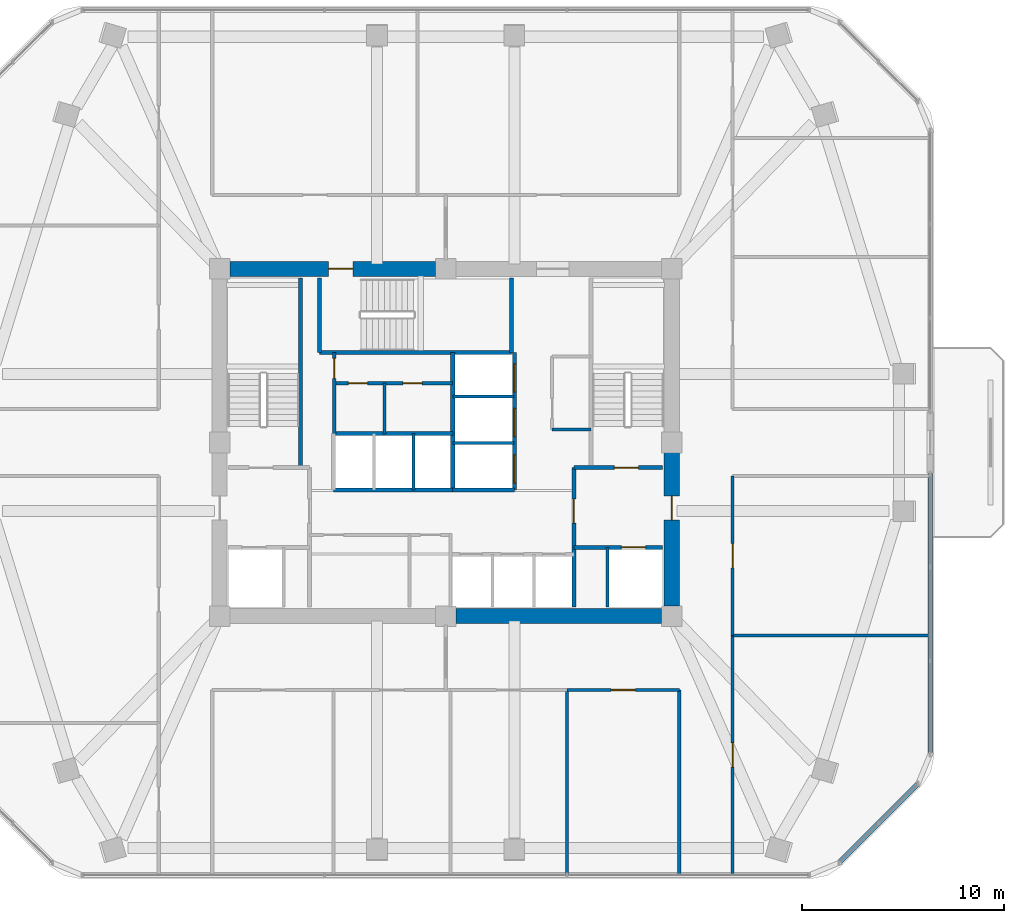
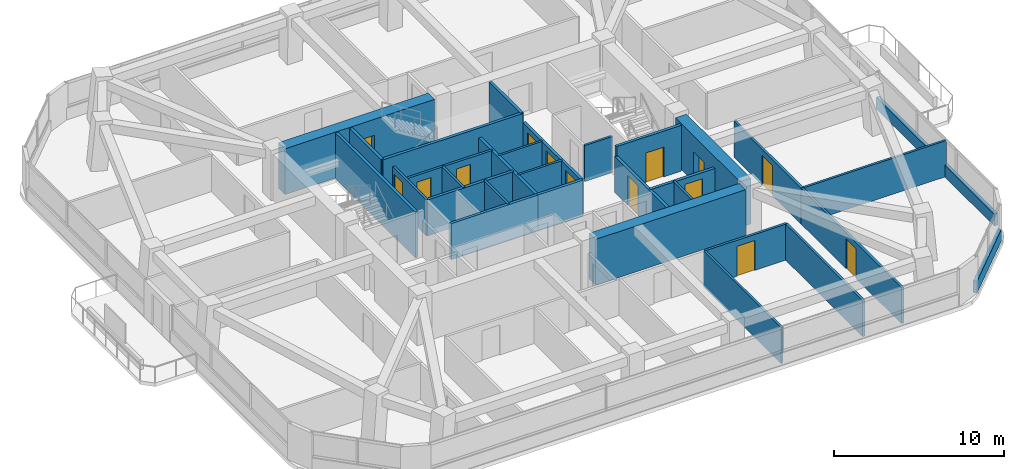
# One storey, part 10 of 14: 31 walls, 14 doors, 14 openings.
"""IFC4 building model written with IfcOpenShell, lengths in metres."""

from ifc_helpers import new_model, si_unit, derived_unit, direction, frame, frame_2d, origin, place, context, subcontext, project, spatial, rectangle, extrude, material, layer, layer_set, type_object, element, fill, save


model = new_model("IFC4")

# Units and contexts
model_context = context("Model", 3, precision=1e-05, world=origin(), true_north=direction((0.0, 1.0)))
body_context = subcontext(model_context, "Body", "Model", "MODEL_VIEW")
ifc_project = project(units=[si_unit("LENGTHUNIT", "METRE"), si_unit("AREAUNIT", "SQUARE_METRE"), si_unit("VOLUMEUNIT", "CUBIC_METRE"), si_unit("PLANEANGLEUNIT", "RADIAN"), si_unit("MASSUNIT", "GRAM", prefix="KILO"), derived_unit("THERMALTRANSMITTANCEUNIT", [(si_unit("POWERUNIT", "WATT"), 1), (si_unit("LENGTHUNIT", "METRE"), -2), (si_unit("THERMODYNAMICTEMPERATUREUNIT", "KELVIN"), -1)])], contexts=[model_context])

# Site, building, storey
site_placement = place(None, origin())
site = spatial("IfcSite", under=ifc_project, at=site_placement, CompositionType="ELEMENT")
building_placement = place(site_placement, origin())
building = spatial("IfcBuilding", under=site, at=building_placement, Name="Koralith Skygarden Medical Center", CompositionType="ELEMENT")
storey_placement = place(building_placement, frame((0.0, 0.0, 120.780029296875)))
storey = spatial("IfcBuildingStorey", under=building, at=storey_placement, Name="L31", CompositionType="ELEMENT", Elevation=120.780029296875)

# Walls
ifc_material_1 = material(Name="Gypsum Board Partition")
ifc_layer_1 = layer(ifc_material_1, 0.14990234375)
ifc_layer_set_1 = layer_set([ifc_layer_1], Name="Gypsum Board Partition")
wall_type_1 = type_object("IfcWallType", Name="Clinical Acoustic Partition 150", PredefinedType="PARTITIONING", material=ifc_layer_set_1)
wall_1_placement = place(storey_placement, frame((42.27001953125, 26.5400390625, 0.0), z_axis=(0.0, 0.0, 1.0), x_axis=(1.0, 0.0, 0.0)))
element("IfcWall", 1, at=wall_1_placement, inside=storey, type_object=wall_type_1, Name="L31 Clinical Acoustic Partition 150 W-CORE-L31-ESUB-S", PredefinedType="PARTITIONING", context=body_context, shape_type="SweptSolid", body=[
    extrude(rectangle(XDim=1.929931640625, YDim=0.14990234375, at=frame_2d((0.96484375, 0.0))), origin(), (0.0, 0.0, 1.0), 2.590087890625),
])
wall_2_placement = place(storey_placement, frame((33.97998046875, 26.320068359375, 0.0), z_axis=(0.0, 0.0, 1.0), x_axis=(0.0, 1.0, 0.0)))
element("IfcWall", 2, at=wall_2_placement, inside=storey, type_object=wall_type_1, Name="L31 Clinical Acoustic Partition 150 W-CORE-L31-FLEX-V3A", PredefinedType="PARTITIONING", context=body_context, shape_type="SweptSolid", body=[
    extrude(rectangle(XDim=2.52001953125, YDim=0.14990234375, at=frame_2d((1.260009765625, 0.0))), origin(), (0.0, 0.0, 1.0), 2.590087890625),
])
wall_3_placement = place(storey_placement, frame((43.010986328125, 13.639892578125, 0.0), z_axis=(0.0, 0.0, 1.0), x_axis=(0.0, -1.0, 0.0)))
element("IfcWall", 3, at=wall_3_placement, inside=storey, type_object=wall_type_1, Name="L31 Clinical Acoustic Partition 150 W-PART-L31-S-03", PredefinedType="PARTITIONING", context=body_context, shape_type="SweptSolid", body=[
    extrude(rectangle(XDim=9.143798828125, YDim=0.14990234375, at=frame_2d((4.57177734375, 0.0))), origin(), (0.0, 0.0, 1.0), 2.590087890625),
])
wall_4_placement = place(storey_placement, frame((51.2099609375, 16.342041015625, 0.0), z_axis=(0.0, 0.0, 1.0), x_axis=(1.0, 0.0, 0.0)))
element("IfcWall", 4, at=wall_4_placement, inside=storey, type_object=wall_type_1, Name="L31 Clinical Acoustic Partition 150 W-PART-L31-ES-01", PredefinedType="PARTITIONING", context=body_context, shape_type="SweptSolid", body=[
    extrude(rectangle(XDim=9.77001953125, YDim=0.14990234375, at=frame_2d((4.885009765625, 0.0))), origin(), (0.0, 0.0, 1.0), 2.590087890625),
])
ifc_layer_2 = layer(ifc_material_1, 0.1650390625)
ifc_layer_set_2 = layer_set([ifc_layer_2], Name="Gypsum Board Partition")
wall_type_2 = type_object("IfcWallType", Name="Clinical Corridor Partition 165", PredefinedType="PARTITIONING", material=ifc_layer_set_2)
wall_5_placement = place(storey_placement, frame((48.570068359375, 4.49609375, 0.0), z_axis=(0.0, 0.0, 1.0), x_axis=(0.0, 1.0, 0.0)))
element("IfcWall", 5, at=wall_5_placement, inside=storey, type_object=wall_type_2, Name="L31 Clinical Corridor Partition 165 W-HCOR-L31-SE", PredefinedType="PARTITIONING", context=body_context, shape_type="SweptSolid", body=[
    extrude(rectangle(XDim=9.143798828125, YDim=0.1650390625, at=frame_2d((4.57177734375, 0.0))), origin(), (0.0, 0.0, 1.0), 2.590087890625),
])

# Wall, opening, door
wall_6_placement = place(storey_placement, frame((43.010986328125, 13.639892578125, 0.0), z_axis=(0.0, 0.0, 1.0), x_axis=(1.0, 0.0, 0.0)))
wall_6 = element("IfcWall", 6, at=wall_6_placement, inside=storey, type_object=wall_type_2, Name="L31 Clinical Corridor Partition 165 W-CORR-L31-S-04", PredefinedType="PARTITIONING", context=body_context, shape_type="SweptSolid", body=[
    extrude(rectangle(XDim=5.55908203125, YDim=0.1650390625, at=frame_2d((2.779541015625, 0.0))), origin(), (0.0, 0.0, 1.0), 2.590087890625),
])
opening_1_placement = place(wall_6_placement, frame((2.178955078125, 0.0, 0.0)))
opening_1 = element("IfcOpeningElement", 7, at=opening_1_placement, cuts=wall_6, Name="Opening D-CLN", PredefinedType="OPENING", context=body_context, shape_type="SweptSolid", body=[
    extrude(rectangle(XDim=1.199951171875, YDim=2.14990234375, at=frame_2d((0.60009765625, 1.074951171875))), frame((0.0, 0.092529296875, 0.0), z_axis=(0.0, -1.0, 0.0), x_axis=(1.0, 0.0, 0.0)), (0.0, 0.0, 1.0), 0.18505859375),
])
ifc_material_2 = material(Name="Aluminium 6063-T6", Category="aluminium")
door_type_1 = type_object("IfcDoorType", Name="Clinical Corridor Door D-CLN 1200", OperationType="NOTDEFINED", PredefinedType="DOOR", material=ifc_material_2)
door_1_placement = place(opening_1_placement, frame((1.199951171875, 0.0, 0.0), z_axis=(0.0, 0.0, 1.0), x_axis=(-1.0, 0.0, 0.0)))
door_1 = element("IfcDoor", 8, at=door_1_placement, inside=storey, type_object=door_type_1, Name="L31 Resident Huddle Seminar Room 06 Door", OperationType="SINGLE_SWING_LEFT", OverallHeight=2.14990234375, OverallWidth=1.199951171875, PredefinedType="DOOR", context=body_context, shape_type="SweptSolid", body=[
    extrude(rectangle(XDim=1.199951171875, YDim=2.14990234375, at=frame_2d((0.60009765625, 1.074951171875))), frame((0.0, 0.02490234375, 0.0), z_axis=(0.0, -1.0, 0.0), x_axis=(1.0, 0.0, 0.0)), (0.0, 0.0, 1.0), 0.050048828125),
])
fill(opening_1, door_1)

wall_7_placement = place(storey_placement, frame((51.2099609375, 4.49609375, 0.0), z_axis=(0.0, 0.0, 1.0), x_axis=(0.0, 1.0, 0.0)))
wall_7 = element("IfcWall", 9, at=wall_7_placement, inside=storey, type_object=wall_type_2, Name="L31 Clinical Corridor Partition 165 W-CORR-L31-ES-01", PredefinedType="PARTITIONING", context=body_context, shape_type="SweptSolid", body=[
    extrude(rectangle(XDim=11.845947265625, YDim=0.1650390625, at=frame_2d((5.9228515625, 0.0))), origin(), (0.0, 0.0, 1.0), 2.590087890625),
])
opening_2_placement = place(wall_7_placement, frame((5.322998046875, 0.0, 0.0)))
opening_2 = element("IfcOpeningElement", 10, at=opening_2_placement, cuts=wall_7, Name="Opening D-CLN", PredefinedType="OPENING", context=body_context, shape_type="SweptSolid", body=[
    extrude(rectangle(XDim=1.199951171875, YDim=2.14990234375, at=frame_2d((0.60009765625, 1.074951171875))), frame((0.0, 0.092529296875, 0.0), z_axis=(0.0, -1.0, 0.0), x_axis=(1.0, 0.0, 0.0)), (0.0, 0.0, 1.0), 0.18505859375),
])
door_2_placement = place(opening_2_placement, origin())
door_2 = element("IfcDoor", 11, at=door_2_placement, inside=storey, type_object=door_type_1, Name="L31 Biomedical Cart Store 11 Door", OperationType="SINGLE_SWING_RIGHT", OverallHeight=2.14990234375, OverallWidth=1.199951171875, PredefinedType="DOOR", context=body_context, shape_type="SweptSolid", body=[
    extrude(rectangle(XDim=1.199951171875, YDim=2.14990234375, at=frame_2d((0.60009765625, 1.074951171875))), frame((0.0, 0.02490234375, 0.0), z_axis=(0.0, -1.0, 0.0), x_axis=(1.0, 0.0, 0.0)), (0.0, 0.0, 1.0), 0.050048828125),
])
fill(opening_2, door_2)

wall_8_placement = place(storey_placement, frame((51.2099609375, 16.342041015625, 0.0), z_axis=(0.0, 0.0, 1.0), x_axis=(0.0, 1.0, 0.0)))
wall_8 = element("IfcWall", 12, at=wall_8_placement, inside=storey, type_object=wall_type_2, Name="L31 Clinical Corridor Partition 165 W-CORR-L31-ES-02", PredefinedType="PARTITIONING", context=body_context, shape_type="SweptSolid", body=[
    extrude(rectangle(XDim=7.89794921875, YDim=0.1650390625, at=frame_2d((3.948974609375, 0.0))), origin(), (0.0, 0.0, 1.0), 2.590087890625),
])
opening_3_placement = place(wall_8_placement, frame((3.34912109375, 0.0, 0.0)))
opening_3 = element("IfcOpeningElement", 13, at=opening_3_placement, cuts=wall_8, Name="Opening D-CLN", PredefinedType="OPENING", context=body_context, shape_type="SweptSolid", body=[
    extrude(rectangle(XDim=1.199951171875, YDim=2.14990234375, at=frame_2d((0.60009765625, 1.074951171875))), frame((0.0, 0.092529296875, 0.0), z_axis=(0.0, -1.0, 0.0), x_axis=(1.0, 0.0, 0.0)), (0.0, 0.0, 1.0), 0.18505859375),
])
door_3_placement = place(opening_3_placement, origin())
door_3 = element("IfcDoor", 14, at=door_3_placement, inside=storey, type_object=door_type_1, Name="L31 Visitor Waiting Lounge 12 Door", OperationType="SINGLE_SWING_LEFT", OverallHeight=2.14990234375, OverallWidth=1.199951171875, PredefinedType="DOOR", context=body_context, shape_type="SweptSolid", body=[
    extrude(rectangle(XDim=1.199951171875, YDim=2.14990234375, at=frame_2d((0.60009765625, 1.074951171875))), frame((0.0, 0.02490234375, 0.0), z_axis=(0.0, -1.0, 0.0), x_axis=(1.0, 0.0, 0.0)), (0.0, 0.0, 1.0), 0.050048828125),
])
fill(opening_3, door_3)

ifc_layer_3 = layer(ifc_material_1, 0.199951171875)
ifc_layer_set_3 = layer_set([ifc_layer_3], Name="Gypsum Board Partition")
wall_type_3 = type_object("IfcWallType", Name="Fire Shaft Wall 200", PredefinedType="SOLIDWALL", material=ifc_layer_set_3)
wall_9_placement = place(storey_placement, frame((43.35009765625, 20.699951171875, 0.0), z_axis=(0.0, 0.0, 1.0), x_axis=(1.0, 0.0, 0.0)))
wall_9 = element("IfcWall", 15, at=wall_9_placement, inside=storey, type_object=wall_type_3, Name="L31 Fire Shaft Wall 200 W-CORE-L31-FF2-N", PredefinedType="SOLIDWALL", context=body_context, shape_type="SweptSolid", body=[
    extrude(rectangle(XDim=4.39990234375, YDim=0.199951171875, at=frame_2d((2.199951171875, 0.0))), origin(), (0.0, 0.0, 1.0), 2.590087890625),
])
opening_4_placement = place(wall_9_placement, frame((2.35009765625, 0.0, 0.0)))
opening_4 = element("IfcOpeningElement", 16, at=opening_4_placement, cuts=wall_9, Name="Opening LD-FF", PredefinedType="OPENING", context=body_context, shape_type="SweptSolid", body=[
    extrude(rectangle(XDim=1.199951171875, YDim=2.14990234375, at=frame_2d((0.60009765625, 1.074951171875))), frame((0.0, 0.10986328125, 0.0), z_axis=(0.0, -1.0, 0.0), x_axis=(1.0, 0.0, 0.0)), (0.0, 0.0, 1.0), 0.219970703125),
])
ifc_material_3 = material(Name="Steel ASTM A500 Grade C", Category="steel")
door_type_2 = type_object("IfcDoorType", Name="Fire Lift Sliding Landing Door LD-FF 1200", OperationType="NOTDEFINED", PredefinedType="DOOR", material=ifc_material_3)
door_4_placement = place(opening_4_placement, origin())
door_4 = element("IfcDoor", 17, at=door_4_placement, inside=storey, type_object=door_type_2, Name="L31 Fire Service Elevator FF2 Landing Door", OperationType="SLIDING_TO_RIGHT", OverallHeight=2.14990234375, OverallWidth=1.199951171875, PredefinedType="DOOR", context=body_context, shape_type="SweptSolid", body=[
    extrude(rectangle(XDim=1.199951171875, YDim=2.14990234375, at=frame_2d((0.60009765625, 1.074951171875))), frame((0.0, 0.02490234375, 0.0), z_axis=(0.0, -1.0, 0.0), x_axis=(1.0, 0.0, 0.0)), (0.0, 0.0, 1.0), 0.050048828125),
])
fill(opening_4, door_4)

wall_10_placement = place(storey_placement, frame((43.35009765625, 17.75, 0.0), z_axis=(0.0, 0.0, 1.0), x_axis=(0.0, 1.0, 0.0)))
wall_10 = element("IfcWall", 18, at=wall_10_placement, inside=storey, type_object=wall_type_3, Name="L31 Fire Shaft Wall 200 W-CORE-L31-FSAEE-W", PredefinedType="SOLIDWALL", context=body_context, shape_type="SweptSolid", body=[
    extrude(rectangle(XDim=6.89990234375, YDim=0.199951171875, at=frame_2d((3.449951171875, 0.0))), origin(), (0.0, 0.0, 1.0), 2.590087890625),
])
opening_5_placement = place(wall_10_placement, frame((4.14990234375, 0.0, 0.0)))
opening_5 = element("IfcOpeningElement", 19, at=opening_5_placement, cuts=wall_10, Name="Opening D-ST60", PredefinedType="OPENING", context=body_context, shape_type="SweptSolid", body=[
    extrude(rectangle(XDim=1.199951171875, YDim=2.14990234375, at=frame_2d((0.60009765625, 1.074951171875))), frame((0.0, 0.10986328125, 0.0), z_axis=(0.0, -1.0, 0.0), x_axis=(1.0, 0.0, 0.0)), (0.0, 0.0, 1.0), 0.219970703125),
])
door_type_3 = type_object("IfcDoorType", Name="Smokeproof Stair Fire Door FD60S 1200", OperationType="NOTDEFINED", PredefinedType="DOOR", material=ifc_material_3)
door_5_placement = place(opening_5_placement, frame((1.199951171875, 0.0, 0.0), z_axis=(0.0, 0.0, 1.0), x_axis=(-1.0, 0.0, 0.0)))
door_5 = element("IfcDoor", 20, at=door_5_placement, inside=storey, type_object=door_type_3, Name="L31 East Firefighting Lobby Inner Fire Door", OperationType="SINGLE_SWING_RIGHT", OverallHeight=2.14990234375, OverallWidth=1.199951171875, PredefinedType="DOOR", context=body_context, shape_type="SweptSolid", body=[
    extrude(rectangle(XDim=1.199951171875, YDim=2.14990234375, at=frame_2d((0.60009765625, 1.074951171875))), frame((0.0, 0.02490234375, 0.0), z_axis=(0.0, -1.0, 0.0), x_axis=(1.0, 0.0, 0.0)), (0.0, 0.0, 1.0), 0.050048828125),
])
fill(opening_5, door_5)

# Walls
for number, where, z_axis, x_axis, name in (
    (21, (31.449951171875, 23.5400390625, 0.0), (0.0, 0.0, 1.0), (1.0, 0.0, 0.0), "L31 Fire Shaft Wall 200 W-CORE-L31-PH-S"),
    (22, (31.449951171875, 26.35009765625, 0.0), (0.0, 0.0, 1.0), (1.0, 0.0, 0.0), "L31 Fire Shaft Wall 200 W-CORE-L31-PH-N"),
):
    element("IfcWall", number, at=place(storey_placement, frame(where, z_axis=z_axis, x_axis=x_axis)), inside=storey, type_object=wall_type_3, Name=name, PredefinedType="SOLIDWALL", context=body_context, shape_type="SweptSolid", body=[
        extrude(rectangle(XDim=5.900146484375, YDim=0.199951171875, at=frame_2d((2.9501953125, 0.0))), origin(), (0.0, 0.0, 1.0), 2.590087890625),
    ])
wall_11_placement = place(storey_placement, frame((37.35009765625, 23.5400390625, 0.0), z_axis=(0.0, 0.0, 1.0), x_axis=(0.0, 1.0, 0.0)))
element("IfcWall", 23, at=wall_11_placement, inside=storey, type_object=wall_type_3, Name="L31 Fire Shaft Wall 200 W-CORE-L31-SV-W", PredefinedType="SOLIDWALL", context=body_context, shape_type="SweptSolid", body=[
    extrude(rectangle(XDim=6.820068359375, YDim=0.199951171875, at=frame_2d((3.41015625, 0.0))), origin(), (0.0, 0.0, 1.0), 2.590087890625),
])
wall_12_placement = place(storey_placement, frame((37.35009765625, 23.5400390625, 0.0), z_axis=(0.0, 0.0, 1.0), x_axis=(1.0, 0.0, 0.0)))
element("IfcWall", 24, at=wall_12_placement, inside=storey, type_object=wall_type_3, Name="L31 Fire Shaft Wall 200 W-CORE-L31-SV-S", PredefinedType="SOLIDWALL", context=body_context, shape_type="SweptSolid", body=[
    extrude(rectangle(XDim=3.0498046875, YDim=0.199951171875, at=frame_2d((1.52490234375, 0.0))), origin(), (0.0, 0.0, 1.0), 2.590087890625),
])

# Wall, openings, doors
wall_13_placement = place(storey_placement, frame((40.39990234375, 23.5400390625, 0.0), z_axis=(0.0, 0.0, 1.0), x_axis=(0.0, 1.0, 0.0)))
wall_13 = element("IfcWall", 25, at=wall_13_placement, inside=storey, type_object=wall_type_3, Name="L31 Fire Shaft Wall 200 W-CORE-L31-SV-E", PredefinedType="SOLIDWALL", context=body_context, shape_type="SweptSolid", body=[
    extrude(rectangle(XDim=6.820068359375, YDim=0.199951171875, at=frame_2d((3.41015625, 0.0))), origin(), (0.0, 0.0, 1.0), 2.590087890625),
])
opening_6_placement = place(wall_13_placement, frame((0.35009765625, 0.0, 0.0)))
opening_6 = element("IfcOpeningElement", 26, at=opening_6_placement, cuts=wall_13, Name="Opening LD-SV", PredefinedType="OPENING", context=body_context, shape_type="SweptSolid", body=[
    extrude(rectangle(XDim=1.39990234375, YDim=2.199951171875, at=frame_2d((0.699951171875, 1.10009765625))), frame((0.0, 0.10986328125, 0.0), z_axis=(0.0, -1.0, 0.0), x_axis=(1.0, 0.0, 0.0)), (0.0, 0.0, 1.0), 0.219970703125),
])
opening_7_placement = place(wall_13_placement, frame((2.64990234375, 0.0, 0.0)))
opening_7 = element("IfcOpeningElement", 27, at=opening_7_placement, cuts=wall_13, Name="Opening LD-SV", PredefinedType="OPENING", context=body_context, shape_type="SweptSolid", body=[
    extrude(rectangle(XDim=1.39990234375, YDim=2.199951171875, at=frame_2d((0.699951171875, 1.10009765625))), frame((0.0, 0.10986328125, 0.0), z_axis=(0.0, -1.0, 0.0), x_axis=(1.0, 0.0, 0.0)), (0.0, 0.0, 1.0), 0.219970703125),
])
opening_8_placement = place(wall_13_placement, frame((4.85009765625, 0.0, 0.0)))
opening_8 = element("IfcOpeningElement", 28, at=opening_8_placement, cuts=wall_13, Name="Opening LD-SV", PredefinedType="OPENING", context=body_context, shape_type="SweptSolid", body=[
    extrude(rectangle(XDim=1.39990234375, YDim=2.199951171875, at=frame_2d((0.699951171875, 1.10009765625))), frame((0.0, 0.10986328125, 0.0), z_axis=(0.0, -1.0, 0.0), x_axis=(1.0, 0.0, 0.0)), (0.0, 0.0, 1.0), 0.219970703125),
])
door_type_4 = type_object("IfcDoorType", Name="Bed Lift Sliding Landing Door LD-SV 1400", OperationType="NOTDEFINED", PredefinedType="DOOR", material=ifc_material_3)
door_6_placement = place(opening_6_placement, origin())
door_6 = element("IfcDoor", 29, at=door_6_placement, inside=storey, type_object=door_type_4, Name="L31 Bed Elevator BD1 Landing Door", OperationType="SLIDING_TO_LEFT", OverallHeight=2.199951171875, OverallWidth=1.39990234375, PredefinedType="DOOR", context=body_context, shape_type="SweptSolid", body=[
    extrude(rectangle(XDim=1.39990234375, YDim=2.199951171875, at=frame_2d((0.699951171875, 1.10009765625))), frame((0.0, 0.02490234375, 0.0), z_axis=(0.0, -1.0, 0.0), x_axis=(1.0, 0.0, 0.0)), (0.0, 0.0, 1.0), 0.050048828125),
])
fill(opening_6, door_6)
door_7_placement = place(opening_7_placement, origin())
door_7 = element("IfcDoor", 30, at=door_7_placement, inside=storey, type_object=door_type_4, Name="L31 Service Elevator BD2 Landing Door", OperationType="SLIDING_TO_LEFT", OverallHeight=2.199951171875, OverallWidth=1.39990234375, PredefinedType="DOOR", context=body_context, shape_type="SweptSolid", body=[
    extrude(rectangle(XDim=1.39990234375, YDim=2.199951171875, at=frame_2d((0.699951171875, 1.10009765625))), frame((0.0, 0.02490234375, 0.0), z_axis=(0.0, -1.0, 0.0), x_axis=(1.0, 0.0, 0.0)), (0.0, 0.0, 1.0), 0.050048828125),
])
fill(opening_7, door_7)
door_8_placement = place(opening_8_placement, origin())
door_8 = element("IfcDoor", 31, at=door_8_placement, inside=storey, type_object=door_type_4, Name="L31 Trauma Elevator TR1 Landing Door", OperationType="SLIDING_TO_RIGHT", OverallHeight=2.199951171875, OverallWidth=1.39990234375, PredefinedType="DOOR", context=body_context, shape_type="SweptSolid", body=[
    extrude(rectangle(XDim=1.39990234375, YDim=2.199951171875, at=frame_2d((0.699951171875, 1.10009765625))), frame((0.0, 0.02490234375, 0.0), z_axis=(0.0, -1.0, 0.0), x_axis=(1.0, 0.0, 0.0)), (0.0, 0.0, 1.0), 0.050048828125),
])
fill(opening_8, door_8)

# Walls
ifc_material_4 = material(Name="Warm Oolitic Limestone Cladding", Category="masonry")
ifc_layer_4 = layer(ifc_material_4, 0.239990234375)
ifc_layer_set_4 = layer_set([ifc_layer_4], Name="Warm Oolitic Limestone Cladding")
wall_type_4 = type_object("IfcWallType", Name="Limestone Spandrel Sill Backup Wall 240", PredefinedType="SOLIDWALL", material=ifc_layer_set_4)
wall_14_placement = place(storey_placement, frame((56.47509765625, 5.077880859375, 0.0), z_axis=(0.0, 0.0, 1.0), x_axis=(0.707084777957, 0.707128783731, 0.0)))
element("IfcWall", 32, at=wall_14_placement, inside=storey, type_object=wall_type_4, Name="L31 Sill Spandrel SE", PredefinedType="SOLIDWALL", context=body_context, shape_type="SweptSolid", body=[
    extrude(rectangle(XDim=5.5478515625, YDim=0.239990234375, at=frame_2d((2.77392578125, 0.0))), origin(), (0.0, 0.0, 1.0), 0.849853515625),
])
wall_15_placement = place(storey_placement, frame((60.9990234375, 10.451904296875, 0.0), z_axis=(0.0, 0.0, 1.0), x_axis=(0.0, 1.0, 0.0)))
element("IfcWall", 33, at=wall_15_placement, inside=storey, type_object=wall_type_4, Name="L31 Sill Spandrel E-L", PredefinedType="SOLIDWALL", context=body_context, shape_type="SweptSolid", body=[
    extrude(rectangle(XDim=13.908203125, YDim=0.239990234375, at=frame_2d((6.9541015625, 0.0))), origin(), (0.0, 0.0, 1.0), 0.849853515625),
])
ifc_material_5 = material(Name="Concrete C70/85", Category="concrete")
ifc_layer_5 = layer(ifc_material_5, 0.75)
ifc_layer_set_5 = layer_set([ifc_layer_5], Name="Concrete C70/85")
wall_type_5 = type_object("IfcWallType", Name="Mid Core Shear Wall 750", PredefinedType="SHEAR", material=ifc_layer_set_5)
wall_16_placement = place(storey_placement, frame((37.5048828125, 17.300048828125, 0.0), z_axis=(0.0, 0.0, 1.0), x_axis=(1.0, 0.0, 0.0)))
element("IfcWall", 34, at=wall_16_placement, inside=storey, type_object=wall_type_5, Name="L31 Core Shear Wall Segment 2", PredefinedType="SHEAR", context=body_context, shape_type="SweptSolid", body=[
    extrude(rectangle(XDim=10.190185546875, YDim=0.75, at=frame_2d((5.09521484375, 0.0))), origin(), (0.0, 0.0, 1.0), 3.300048828125),
])

# Wall, opening, door
wall_17_placement = place(storey_placement, frame((48.199951171875, 17.804931640625, 0.0), z_axis=(0.0, 0.0, 1.0), x_axis=(0.0, 1.0, 0.0)))
wall_17 = element("IfcWall", 35, at=wall_17_placement, inside=storey, type_object=wall_type_5, Name="L31 Core Shear Wall Segment 3", PredefinedType="SHEAR", context=body_context, shape_type="SweptSolid", body=[
    extrude(rectangle(XDim=7.590087890625, YDim=0.75, at=frame_2d((3.794921875, 0.0))), origin(), (0.0, 0.0, 1.0), 3.300048828125),
])
opening_9_placement = place(wall_17_placement, frame((4.2451171875, 0.0, 0.0)))
opening_9 = element("IfcOpeningElement", 36, at=opening_9_placement, cuts=wall_17, Name="Opening D-ST60", PredefinedType="OPENING", context=body_context, shape_type="SweptSolid", body=[
    extrude(rectangle(XDim=1.199951171875, YDim=2.14990234375, at=frame_2d((0.60009765625, 1.074951171875))), frame((0.0, 0.385009765625, 0.0), z_axis=(0.0, -1.0, 0.0), x_axis=(1.0, 0.0, 0.0)), (0.0, 0.0, 1.0), 0.77001953125),
])
door_9_placement = place(opening_9_placement, frame((1.199951171875, 0.0, 0.0), z_axis=(0.0, 0.0, 1.0), x_axis=(-1.0, 0.0, 0.0)))
door_9 = element("IfcDoor", 37, at=door_9_placement, inside=storey, type_object=door_type_3, Name="L31 East Corridor to Firefighting Lobby Door", OperationType="SINGLE_SWING_RIGHT", OverallHeight=2.14990234375, OverallWidth=1.199951171875, PredefinedType="DOOR", context=body_context, shape_type="SweptSolid", body=[
    extrude(rectangle(XDim=1.199951171875, YDim=2.14990234375, at=frame_2d((0.60009765625, 1.074951171875))), frame((0.0, 0.02490234375, 0.0), z_axis=(0.0, -1.0, 0.0), x_axis=(1.0, 0.0, 0.0)), (0.0, 0.0, 1.0), 0.050048828125),
])
fill(opening_9, door_9)

wall_18_placement = place(storey_placement, frame((36.4951171875, 34.5, 0.0), z_axis=(0.0, 0.0, 1.0), x_axis=(-1.0, 0.0, 0.0)))
wall_18 = element("IfcWall", 38, at=wall_18_placement, inside=storey, type_object=wall_type_5, Name="L31 Core Shear Wall Segment 6", PredefinedType="SHEAR", context=body_context, shape_type="SweptSolid", body=[
    extrude(rectangle(XDim=10.190185546875, YDim=0.75, at=frame_2d((5.09521484375, 0.0))), origin(), (0.0, 0.0, 1.0), 3.300048828125),
])
opening_10_placement = place(wall_18_placement, frame((4.094970703125, 0.0, 0.0)))
opening_10 = element("IfcOpeningElement", 39, at=opening_10_placement, cuts=wall_18, Name="Opening D-ST60", PredefinedType="OPENING", context=body_context, shape_type="SweptSolid", body=[
    extrude(rectangle(XDim=1.199951171875, YDim=2.14990234375, at=frame_2d((0.60009765625, 1.074951171875))), frame((0.0, 0.385009765625, 0.0), z_axis=(0.0, -1.0, 0.0), x_axis=(1.0, 0.0, 0.0)), (0.0, 0.0, 1.0), 0.77001953125),
])
door_10_placement = place(opening_10_placement, frame((1.199951171875, 0.0, 0.0), z_axis=(0.0, 0.0, 1.0), x_axis=(-1.0, 0.0, 0.0)))
door_10 = element("IfcDoor", 40, at=door_10_placement, inside=storey, type_object=door_type_3, Name="L31 Exit Stair ST3 Fire Door", OperationType="SINGLE_SWING_LEFT", OverallHeight=2.14990234375, OverallWidth=1.199951171875, PredefinedType="DOOR", context=body_context, shape_type="SweptSolid", body=[
    extrude(rectangle(XDim=1.199951171875, YDim=2.14990234375, at=frame_2d((0.60009765625, 1.074951171875))), frame((0.0, 0.02490234375, 0.0), z_axis=(0.0, -1.0, 0.0), x_axis=(1.0, 0.0, 0.0)), (0.0, 0.0, 1.0), 0.050048828125),
])
fill(opening_10, door_10)

ifc_layer_6 = layer(ifc_material_1, 0.1650390625)
ifc_layer_set_6 = layer_set([ifc_layer_6], Name="Gypsum Board Partition")
wall_type_6 = type_object("IfcWallType", Name="Plumbing Wet Wall 165", PredefinedType="PLUMBINGWALL", material=ifc_layer_set_6)
wall_19_placement = place(storey_placement, frame((31.47998046875, 26.320068359375, 0.0), z_axis=(0.0, 0.0, 1.0), x_axis=(0.0, 1.0, 0.0)))
wall_19 = element("IfcWall", 41, at=wall_19_placement, inside=storey, type_object=wall_type_6, Name="L31 Plumbing Wet Wall 165 W-CORE-L31-FLEX-W", PredefinedType="PLUMBINGWALL", context=body_context, shape_type="SweptSolid", body=[
    extrude(rectangle(XDim=4.0400390625, YDim=0.1650390625, at=frame_2d((2.02001953125, 0.0))), origin(), (0.0, 0.0, 1.0), 2.590087890625),
])
opening_11_placement = place(wall_19_placement, frame((2.75, 0.0, 0.0)))
opening_11 = element("IfcOpeningElement", 42, at=opening_11_placement, cuts=wall_19, Name="Opening D-SUP", PredefinedType="OPENING", context=body_context, shape_type="SweptSolid", body=[
    extrude(rectangle(XDim=1.0, YDim=2.14990234375, at=frame_2d((0.5, 1.074951171875))), frame((0.0, 0.092529296875, 0.0), z_axis=(0.0, -1.0, 0.0), x_axis=(1.0, 0.0, 0.0)), (0.0, 0.0, 1.0), 0.18505859375),
])
door_type_5 = type_object("IfcDoorType", Name="Clinical Support Door D-SUP 1000", OperationType="NOTDEFINED", PredefinedType="DOOR", material=ifc_material_2)
door_11_placement = place(opening_11_placement, frame((1.0, 0.0, 0.0), z_axis=(0.0, 0.0, 1.0), x_axis=(-1.0, 0.0, 0.0)))
door_11 = element("IfcDoor", 43, at=door_11_placement, inside=storey, type_object=door_type_5, Name="L31 Core Utility Alcove Door", OperationType="SINGLE_SWING_RIGHT", OverallHeight=2.14990234375, OverallWidth=1.0, PredefinedType="DOOR", context=body_context, shape_type="SweptSolid", body=[
    extrude(rectangle(XDim=1.0, YDim=2.14990234375, at=frame_2d((0.5, 1.074951171875))), frame((0.0, 0.02490234375, 0.0), z_axis=(0.0, -1.0, 0.0), x_axis=(1.0, 0.0, 0.0)), (0.0, 0.0, 1.0), 0.050048828125),
])
fill(opening_11, door_11)

# Wall, openings, doors
wall_20_placement = place(storey_placement, frame((31.47998046875, 28.840087890625, 0.0), z_axis=(0.0, 0.0, 1.0), x_axis=(1.0, 0.0, 0.0)))
wall_20 = element("IfcWall", 44, at=wall_20_placement, inside=storey, type_object=wall_type_6, Name="L31 Plumbing Wet Wall 165 W-CORE-L31-FLEX-H3", PredefinedType="PLUMBINGWALL", context=body_context, shape_type="SweptSolid", body=[
    extrude(rectangle(XDim=5.8701171875, YDim=0.1650390625, at=frame_2d((2.93505859375, 0.0))), origin(), (0.0, 0.0, 1.0), 2.590087890625),
])
opening_12_placement = place(wall_20_placement, frame((0.699951171875, 0.0, 0.0)))
opening_12 = element("IfcOpeningElement", 45, at=opening_12_placement, cuts=wall_20, Name="Opening D-WC", PredefinedType="OPENING", context=body_context, shape_type="SweptSolid", body=[
    extrude(rectangle(XDim=0.949951171875, YDim=2.10009765625, at=frame_2d((0.47509765625, 1.050048828125))), frame((0.0, 0.092529296875, 0.0), z_axis=(0.0, -1.0, 0.0), x_axis=(1.0, 0.0, 0.0)), (0.0, 0.0, 1.0), 0.18505859375),
])
opening_13_placement = place(wall_20_placement, frame((3.39990234375, 0.0, 0.0)))
opening_13 = element("IfcOpeningElement", 46, at=opening_13_placement, cuts=wall_20, Name="Opening D-WC", PredefinedType="OPENING", context=body_context, shape_type="SweptSolid", body=[
    extrude(rectangle(XDim=0.949951171875, YDim=2.10009765625, at=frame_2d((0.47509765625, 1.050048828125))), frame((0.0, 0.092529296875, 0.0), z_axis=(0.0, -1.0, 0.0), x_axis=(1.0, 0.0, 0.0)), (0.0, 0.0, 1.0), 0.18505859375),
])
door_type_6 = type_object("IfcDoorType", Name="Accessible Toilet Door D-WC 950", OperationType="NOTDEFINED", PredefinedType="DOOR", material=ifc_material_2)
door_12_placement = place(opening_12_placement, frame((0.949951171875, 0.0, 0.0), z_axis=(0.0, 0.0, 1.0), x_axis=(-1.0, 0.0, 0.0)))
door_12 = element("IfcDoor", 47, at=door_12_placement, inside=storey, type_object=door_type_6, Name="L31 Core Accessible WC Door", OperationType="SINGLE_SWING_LEFT", OverallHeight=2.10009765625, OverallWidth=0.949951171875, PredefinedType="DOOR", context=body_context, shape_type="SweptSolid", body=[
    extrude(rectangle(XDim=0.949951171875, YDim=2.10009765625, at=frame_2d((0.47509765625, 1.050048828125))), frame((0.0, 0.02490234375, 0.0), z_axis=(0.0, -1.0, 0.0), x_axis=(1.0, 0.0, 0.0)), (0.0, 0.0, 1.0), 0.050048828125),
])
fill(opening_12, door_12)
door_13_placement = place(opening_13_placement, frame((0.949951171875, 0.0, 0.0), z_axis=(0.0, 0.0, 1.0), x_axis=(-1.0, 0.0, 0.0)))
door_13 = element("IfcDoor", 48, at=door_13_placement, inside=storey, type_object=door_type_6, Name="L31 Housekeeping Store Door", OperationType="SINGLE_SWING_RIGHT", OverallHeight=2.10009765625, OverallWidth=0.949951171875, PredefinedType="DOOR", context=body_context, shape_type="SweptSolid", body=[
    extrude(rectangle(XDim=0.949951171875, YDim=2.10009765625, at=frame_2d((0.47509765625, 1.050048828125))), frame((0.0, 0.02490234375, 0.0), z_axis=(0.0, -1.0, 0.0), x_axis=(1.0, 0.0, 0.0)), (0.0, 0.0, 1.0), 0.050048828125),
])
fill(opening_13, door_13)

# Walls
ifc_layer_7 = layer(ifc_material_1, 0.14990234375)
ifc_layer_set_7 = layer_set([ifc_layer_7], Name="Gypsum Board Partition")
wall_type_7 = type_object("IfcWallType", Name="Shaft Partition Wall 150", PredefinedType="PARTITIONING", material=ifc_layer_set_7)
wall_21_placement = place(storey_placement, frame((45.02001953125, 17.75, 0.0), z_axis=(0.0, 0.0, 1.0), x_axis=(0.0, 1.0, 0.0)))
element("IfcWall", 49, at=wall_21_placement, inside=storey, type_object=wall_type_7, Name="L31 Shaft Partition Wall 150 W-CORE-L31-RSRE-DIV", PredefinedType="PARTITIONING", context=body_context, shape_type="SweptSolid", body=[
    extrude(rectangle(XDim=2.949951171875, YDim=0.14990234375, at=frame_2d((1.47509765625, 0.0))), origin(), (0.0, 0.0, 1.0), 2.590087890625),
])
wall_22_placement = place(storey_placement, frame((35.39990234375, 23.5400390625, 0.0), z_axis=(0.0, 0.0, 1.0), x_axis=(0.0, 1.0, 0.0)))
element("IfcWall", 50, at=wall_22_placement, inside=storey, type_object=wall_type_7, Name="L31 Shaft Partition Wall 150 W-CORE-L31-PH-D2", PredefinedType="PARTITIONING", context=body_context, shape_type="SweptSolid", body=[
    extrude(rectangle(XDim=2.81005859375, YDim=0.14990234375, at=frame_2d((1.405029296875, 0.0))), origin(), (0.0, 0.0, 1.0), 2.590087890625),
])
for number, where, z_axis, x_axis, name in (
    (51, (37.3701171875, 25.8701171875, 0.0), (0.0, 0.0, 1.0), (1.0, 0.0, 0.0), "L31 Shaft Partition Wall 150 W-CORE-L31-SV-D1"),
    (52, (37.3701171875, 28.169921875, 0.0), (0.0, 0.0, 1.0), (1.0, 0.0, 0.0), "L31 Shaft Partition Wall 150 W-CORE-L31-SV-D2"),
):
    element("IfcWall", number, at=place(storey_placement, frame(where, z_axis=z_axis, x_axis=x_axis)), inside=storey, type_object=wall_type_7, Name=name, PredefinedType="PARTITIONING", context=body_context, shape_type="SweptSolid", body=[
        extrude(rectangle(XDim=3.009765625, YDim=0.14990234375, at=frame_2d((1.5048828125, 0.0))), origin(), (0.0, 0.0, 1.0), 2.590087890625),
    ])
ifc_material_6 = material(Name="Concrete C45/55", Category="concrete")
ifc_layer_8 = layer(ifc_material_6, 0.199951171875)
ifc_layer_set_8 = layer_set([ifc_layer_8], Name="Concrete C45/55")
wall_type_8 = type_object("IfcWallType", Name="Structural Stair Shaft Wall 200", PredefinedType="SHEAR", material=ifc_layer_set_8)
wall_23_placement = place(storey_placement, frame((29.800048828125, 24.64990234375, 0.0), z_axis=(0.0, 0.0, 1.0), x_axis=(0.0, 1.0, 0.0)))
element("IfcWall", 53, at=wall_23_placement, inside=storey, type_object=wall_type_8, Name="L31 Structural Stair Shaft Wall 200 W-CORE-L31-ST1-E", PredefinedType="SHEAR", context=body_context, shape_type="SweptSolid", body=[
    extrude(rectangle(XDim=9.400146484375, YDim=0.199951171875, at=frame_2d((4.7001953125, 0.0))), origin(), (0.0, 0.0, 1.0), 3.300048828125),
])

# Wall, opening, door
wall_24_placement = place(storey_placement, frame((43.35009765625, 24.64990234375, 0.0), z_axis=(0.0, 0.0, 1.0), x_axis=(1.0, 0.0, 0.0)))
wall_24 = element("IfcWall", 54, at=wall_24_placement, inside=storey, type_object=wall_type_8, Name="L31 Structural Stair Shaft Wall 200 W-CORE-L31-ST2-S", PredefinedType="SHEAR", context=body_context, shape_type="SweptSolid", body=[
    extrude(rectangle(XDim=4.39990234375, YDim=0.199951171875, at=frame_2d((2.199951171875, 0.0))), origin(), (0.0, 0.0, 1.0), 3.300048828125),
])
opening_14_placement = place(wall_24_placement, frame((2.0, 0.0, 0.0)))
opening_14 = element("IfcOpeningElement", 55, at=opening_14_placement, cuts=wall_24, Name="Opening D-ST60", PredefinedType="OPENING", context=body_context, shape_type="SweptSolid", body=[
    extrude(rectangle(XDim=1.199951171875, YDim=2.14990234375, at=frame_2d((0.60009765625, 1.074951171875))), frame((0.0, 0.10986328125, 0.0), z_axis=(0.0, -1.0, 0.0), x_axis=(1.0, 0.0, 0.0)), (0.0, 0.0, 1.0), 0.219970703125),
])
door_14_placement = place(opening_14_placement, origin())
door_14 = element("IfcDoor", 56, at=door_14_placement, inside=storey, type_object=door_type_3, Name="L31 Exit Stair ST2 Fire Door", OperationType="SINGLE_SWING_RIGHT", OverallHeight=2.14990234375, OverallWidth=1.199951171875, PredefinedType="DOOR", context=body_context, shape_type="SweptSolid", body=[
    extrude(rectangle(XDim=1.199951171875, YDim=2.14990234375, at=frame_2d((0.60009765625, 1.074951171875))), frame((0.0, 0.02490234375, 0.0), z_axis=(0.0, -1.0, 0.0), x_axis=(1.0, 0.0, 0.0)), (0.0, 0.0, 1.0), 0.050048828125),
])
fill(opening_14, door_14)

# Walls
wall_25_placement = place(storey_placement, frame((30.75, 30.360107421875, 0.0), z_axis=(0.0, 0.0, 1.0), x_axis=(1.0, 0.0, 0.0)))
element("IfcWall", 57, at=wall_25_placement, inside=storey, type_object=wall_type_8, Name="L31 Structural Stair Shaft Wall 200 W-CORE-L31-ST3-S", PredefinedType="SHEAR", context=body_context, shape_type="SweptSolid", body=[
    extrude(rectangle(XDim=9.5, YDim=0.199951171875, at=frame_2d((4.75, 0.0))), origin(), (0.0, 0.0, 1.0), 3.300048828125),
])
for number, where, z_axis, x_axis, name in (
    (58, (30.75, 30.360107421875, 0.0), (0.0, 0.0, 1.0), (0.0, 1.0, 0.0), "L31 Structural Stair Shaft Wall 200 W-CORE-L31-ST3-W"),
    (59, (40.25, 30.360107421875, 0.0), (0.0, 0.0, 1.0), (0.0, 1.0, 0.0), "L31 Structural Stair Shaft Wall 200 W-CORE-L31-ST3-E"),
):
    element("IfcWall", number, at=place(storey_placement, frame(where, z_axis=z_axis, x_axis=x_axis)), inside=storey, type_object=wall_type_8, Name=name, PredefinedType="SHEAR", context=body_context, shape_type="SweptSolid", body=[
        extrude(rectangle(XDim=3.68994140625, YDim=0.199951171875, at=frame_2d((1.844970703125, 0.0))), origin(), (0.0, 0.0, 1.0), 3.300048828125),
    ])

save(model, "model.ifc")
